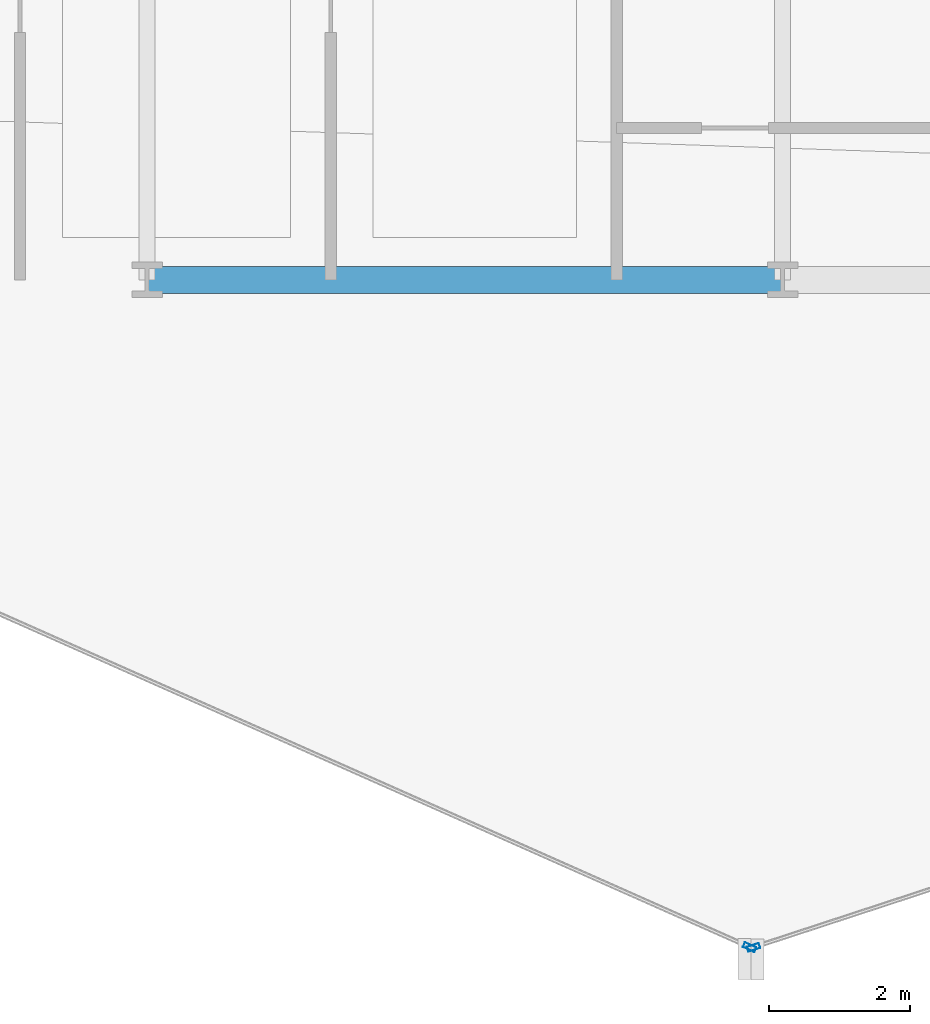
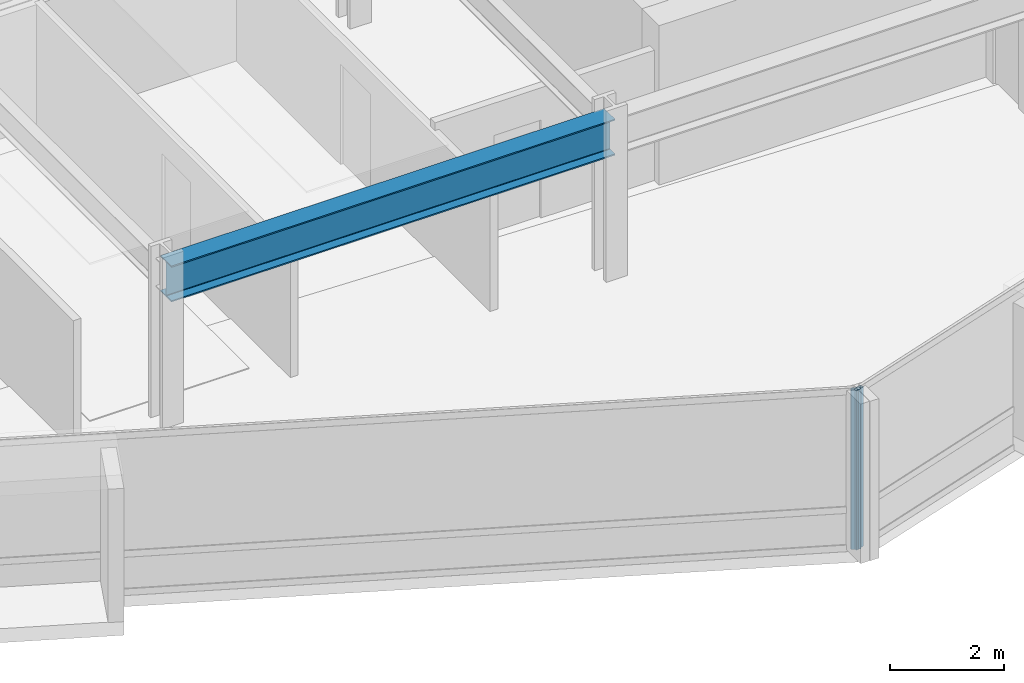
# One storey, part 4 of 34: 2 members, 1 beam, 2 elements without a shape of their own.
"""IFC4 building model written with IfcOpenShell, lengths in metres."""

from ifc_helpers import new_model, si_unit, direction, frame, origin, origin_2d, place, context, subcontext, project, spatial, hollow_rectangle, i_section, extrude, material, layer, layer_set, material_profile, profile_set, type_object, element, aggregate, save


model = new_model("IFC4")

# Units and contexts
model_context = context("Model", 3, precision=1e-05, world=origin(), true_north=direction((0.0, 1.0)))
body_context = subcontext(model_context, "Body", "Model", "MODEL_VIEW")
ifc_project = project(units=[si_unit("LENGTHUNIT", "METRE"), si_unit("AREAUNIT", "SQUARE_METRE"), si_unit("VOLUMEUNIT", "CUBIC_METRE"), si_unit("PLANEANGLEUNIT", "RADIAN"), si_unit("MASSUNIT", "GRAM", prefix="KILO")], contexts=[model_context])

# Site, building, storey
site_placement = place(None, origin())
site = spatial("IfcSite", under=ifc_project, at=site_placement, CompositionType="ELEMENT")
building_placement = place(site_placement, origin())
building = spatial("IfcBuilding", under=site, at=building_placement, Name="Solvaryn Broadcast Tower", CompositionType="ELEMENT")
storey_placement = place(building_placement, frame((0.0, 0.0, 50.800048828125)))
storey = spatial("IfcBuildingStorey", under=building, at=storey_placement, Name="L11", CompositionType="ELEMENT", Elevation=50.800048828125)

# Beam
ifc_material_1 = material(Name="Steel ASTM A992 Grade 50", Category="steel")
ifc_material_profile_1 = material_profile(ifc_material_1, i_section(OverallWidth=0.381103515625, OverallDepth=0.77294921875, WebThickness=0.0166015625, FlangeThickness=0.027099609375, FilletRadius=0.01806640625, at=origin_2d()))
ifc_profile_set_1 = profile_set([ifc_material_profile_1], Name="Steel ASTM A992 Grade 50")
beam_type = type_object("IfcBeamType", Name="BM-SP1-W30X173", PredefinedType="USERDEFINED", material=ifc_profile_set_1)
beam_placement = place(storey_placement, frame((18.0, 9.0, 3.033447265625), z_axis=(1.0, 0.0, 0.0), x_axis=(0.0, 1.0, 0.0)))
element("IfcBeam", 1, at=beam_placement, inside=storey, type_object=beam_type, Name="L11 Spandrel Beam X (18-27 @ Y=9)", ObjectType="SPANDREL", PredefinedType="USERDEFINED", context=body_context, shape_type="SweptSolid", body=[
    extrude(i_section(OverallWidth=0.381103515625, OverallDepth=0.77294921875, WebThickness=0.0166015625, FlangeThickness=0.027099609375, FilletRadius=0.01806640625, at=origin_2d()), origin(), (0.0, 0.0, 1.0), 9.0),
])

# Curtain wall, member
ifc_material_2 = material(Name="Aluminium and Terracotta Unitised Curtain Wall", Category="masonry")
ifc_layer = layer(ifc_material_2, 0.199951171875)
ifc_layer_set = layer_set([ifc_layer], Name="CW-SYS2-LOWMID")
curtain_wall_type = type_object("IfcCurtainWallType", Name="CW-SYS2-LOWMID", PredefinedType="NOTDEFINED", material=ifc_layer_set)
curtain_wall_1_placement = place(storey_placement, origin())
curtain_wall_1 = element("IfcCurtainWall", 2, at=curtain_wall_1_placement, inside=storey, type_object=curtain_wall_type, Name="L11 Curtain Wall DR3", PredefinedType="NOTDEFINED")
ifc_material_3 = material(Name="Anodised Aluminium 6063-T6", Category="aluminium")
ifc_material_profile_2 = material_profile(ifc_material_3, hollow_rectangle(XDim=0.074951171875, YDim=0.179931640625, WallThickness=0.00390625, InnerFilletRadius=0.00390625, OuterFilletRadius=0.008056640625, at=origin_2d()))
ifc_profile_set_2 = profile_set([ifc_material_profile_2], Name="Anodised Aluminium 6063-T6")
member_type = type_object("IfcMemberType", Name="CW-MUL-180", PredefinedType="MULLION", material=ifc_profile_set_2)
member_1_placement = place(storey_placement, frame((26.532470703125, -0.451904296875, 0.0), z_axis=(0.0, 0.0, 1.0), x_axis=(0.405898286554, 0.913918257271, 0.0)))
member_1 = element("IfcMember", 3, at=member_1_placement, type_object=member_type, Name="CWS2 mullion 2", PredefinedType="MULLION", context=body_context, shape_type="SweptSolid", body=[
    extrude(hollow_rectangle(XDim=0.074951171875, YDim=0.179931640625, WallThickness=0.00390625, InnerFilletRadius=0.00390625, OuterFilletRadius=0.008056640625, at=origin_2d()), origin(), (0.0, 0.0, 1.0), 3.419921875),
])
aggregate(curtain_wall_1, [member_1])

curtain_wall_2_placement = place(storey_placement, origin())
curtain_wall_2 = element("IfcCurtainWall", 4, at=curtain_wall_2_placement, inside=storey, type_object=curtain_wall_type, Name="L11 Curtain Wall DR4", PredefinedType="NOTDEFINED")
member_2_placement = place(storey_placement, frame((26.588623046875, -0.45458984375, 0.0), z_axis=(0.0, 0.0, 1.0), x_axis=(-0.311594044587, 0.950215318429, 0.0)))
member_2 = element("IfcMember", 5, at=member_2_placement, type_object=member_type, Name="CWS2 mullion 1", PredefinedType="MULLION", context=body_context, shape_type="SweptSolid", body=[
    extrude(hollow_rectangle(XDim=0.074951171875, YDim=0.179931640625, WallThickness=0.00390625, InnerFilletRadius=0.00390625, OuterFilletRadius=0.008056640625, at=origin_2d()), origin(), (0.0, 0.0, 1.0), 3.419921875),
])
aggregate(curtain_wall_2, [member_2])

save(model, "model.ifc")
